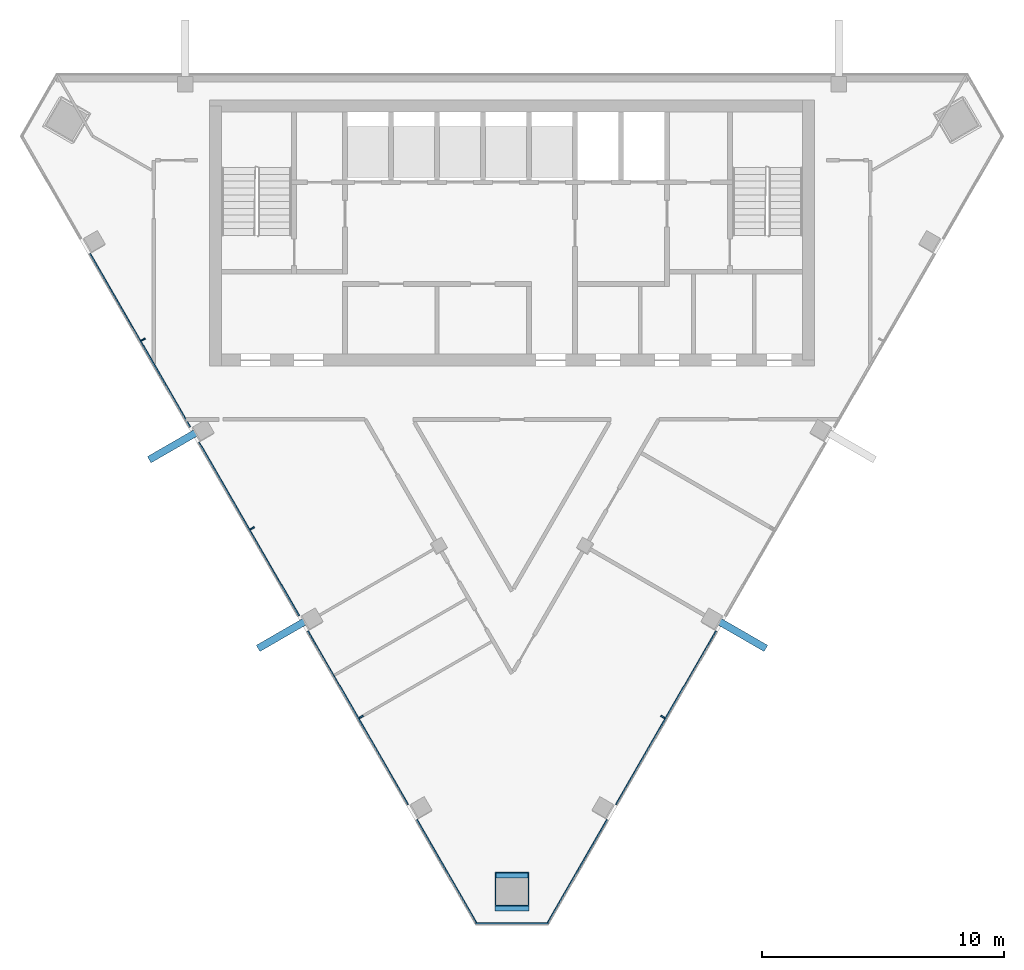
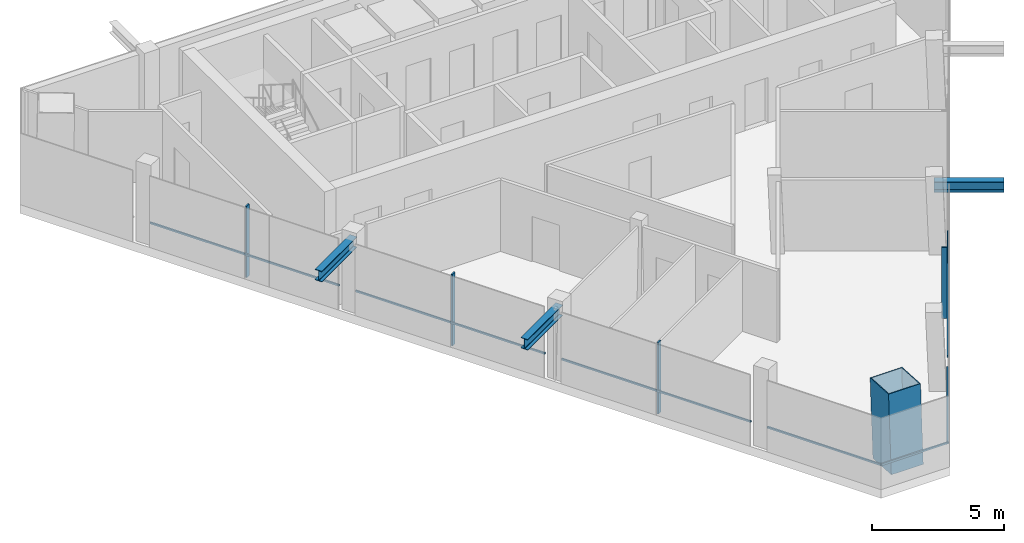
# One storey, part 2 of 9: 15 members, 3 elements without a shape of their own.
"""IFC4 building model written with IfcOpenShell, lengths in metres."""

from ifc_helpers import new_model, si_unit, direction, frame, origin, origin_2d, place, context, subcontext, project, spatial, rectangle, hollow_rectangle, i_section, extrude, material, layer, layer_set, material_profile, profile_set, type_object, element, aggregate, save


model = new_model("IFC4")

# Units and contexts
model_context = context("Model", 3, precision=1e-05, world=origin(), true_north=direction((0.0, 1.0)))
body_context = subcontext(model_context, "Body", "Model", "MODEL_VIEW")
ifc_project = project(units=[si_unit("LENGTHUNIT", "METRE"), si_unit("AREAUNIT", "SQUARE_METRE"), si_unit("VOLUMEUNIT", "CUBIC_METRE"), si_unit("PLANEANGLEUNIT", "RADIAN"), si_unit("MASSUNIT", "GRAM", prefix="KILO")], contexts=[model_context])

# Site, building, storey
site_placement = place(None, origin())
site = spatial("IfcSite", under=ifc_project, at=site_placement, CompositionType="ELEMENT")
building_placement = place(site_placement, origin())
building = spatial("IfcBuilding", under=site, at=building_placement, Name="Altiplano Prism Tower", CompositionType="ELEMENT")
storey_placement = place(building_placement, frame((0.0, 0.0, 354.39990234375)))
storey = spatial("IfcBuildingStorey", under=building, at=storey_placement, Name="L92", CompositionType="ELEMENT", Elevation=354.39990234375)

# Members
ifc_material_1 = material(Name="Steel S355", Category="steel")
ifc_material_profile_1 = material_profile(ifc_material_1, i_section(OverallWidth=0.300048828125, OverallDepth=0.5, WebThickness=0.014404296875, FlangeThickness=0.028076171875, FilletRadius=0.027099609375, at=origin_2d()), Name="Brace bracket HEB 500")
ifc_profile_set_1 = profile_set([ifc_material_profile_1], Name="Steel S355")
member_type_1 = type_object("IfcMemberType", Name="Brace bracket HEB 500", PredefinedType="STRUT", material=ifc_profile_set_1)
for number, where, z_axis, x_axis, name in (
    (1, (72.307861328125, 90.360595703125, 2.9501953125), (-0.866052124492, -0.499953715521, 0.0), (0.499953715521, -0.866052124492, 0.0), "Brace bracket 1.358"),
    (2, (76.807861328125, 82.56640625, 2.9501953125), (-0.866052124492, -0.499953715521, 0.0), (0.499953715521, -0.866052124492, 0.0), "Brace bracket 1.358"),
    (3, (93.192138671875, 82.56640625, 2.9501953125), (0.866052124492, -0.499953715521, 0.0), (0.499953715521, 0.866052124492, 0.0), "Brace bracket 2.358"),
):
    element("IfcMember", number, at=place(storey_placement, frame(where, z_axis=z_axis, x_axis=x_axis)), inside=storey, type_object=member_type_1, Name=name, PredefinedType="STRUT", context=body_context, shape_type="SweptSolid", body=[
        extrude(i_section(OverallWidth=0.300048828125, OverallDepth=0.5, WebThickness=0.014404296875, FlangeThickness=0.028076171875, FilletRadius=0.027099609375, at=origin_2d()), origin(), (0.0, 0.0, 1.0), 2.650146484375),
    ])

# Curtain wall, members
ifc_material_2 = material(Name="Aluminium and glass", Category="aluminium")
ifc_layer = layer(ifc_material_2, 0.303955078125)
ifc_layer_set = layer_set([ifc_layer], Name="Aluminium and glass")
curtain_wall_type = type_object("IfcCurtainWallType", Name="CW2 lounge-band unitised glazing", PredefinedType="NOTDEFINED", material=ifc_layer_set)
curtain_wall_1_placement = place(storey_placement, origin())
curtain_wall_1 = element("IfcCurtainWall", 4, at=curtain_wall_1_placement, inside=storey, type_object=curtain_wall_type, Name="CW2 curtain wall south-west face L92", PredefinedType="NOTDEFINED")
ifc_material_3 = material(Name="Aluminium", Category="aluminium")
ifc_material_profile_2 = material_profile(ifc_material_3, rectangle(XDim=0.199951171875, YDim=0.06005859375, at=origin_2d()), Name="CW2 mullion 60 x 200")
ifc_profile_set_2 = profile_set([ifc_material_profile_2], Name="Aluminium")
member_type_2 = type_object("IfcMemberType", Name="CW2 mullion 60 x 200", PredefinedType="MULLION", material=ifc_profile_set_2)
member_1_placement = place(storey_placement, frame((69.7646484375, 93.996337890625, 0.0), z_axis=(0.0, 0.0, 1.0), x_axis=(0.86602540861, 0.499999991641, 0.0)))
member_1 = element("IfcMember", 5, at=member_1_placement, type_object=member_type_2, Name="CW2 mullion", PredefinedType="MULLION", context=body_context, shape_type="SweptSolid", body=[
    extrude(rectangle(XDim=0.199951171875, YDim=0.06005859375, at=origin_2d()), origin(), (0.0, 0.0, 1.0), 3.300048828125),
])
member_2_placement = place(storey_placement, frame((74.2646484375, 86.201904296875, 0.0), z_axis=(0.0, 0.0, 1.0), x_axis=(0.86602540861, 0.499999991641, 0.0)))
member_2 = element("IfcMember", 6, at=member_2_placement, type_object=member_type_2, Name="CW2 mullion", PredefinedType="MULLION", context=body_context, shape_type="SweptSolid", body=[
    extrude(rectangle(XDim=0.199951171875, YDim=0.06005859375, at=origin_2d()), origin(), (0.0, 0.0, 1.0), 3.300048828125),
])
member_3_placement = place(storey_placement, frame((78.7646484375, 78.40771484375, 0.0), z_axis=(0.0, 0.0, 1.0), x_axis=(0.86602540861, 0.499999991641, 0.0)))
member_3 = element("IfcMember", 7, at=member_3_placement, type_object=member_type_2, Name="CW2 mullion", PredefinedType="MULLION", context=body_context, shape_type="SweptSolid", body=[
    extrude(rectangle(XDim=0.199951171875, YDim=0.06005859375, at=origin_2d()), origin(), (0.0, 0.0, 1.0), 3.300048828125),
])

# Curtain wall, member
curtain_wall_2_placement = place(storey_placement, origin())
curtain_wall_2 = element("IfcCurtainWall", 8, at=curtain_wall_2_placement, inside=storey, type_object=curtain_wall_type, Name="CW2 curtain wall south-east face L92", PredefinedType="NOTDEFINED")
member_4_placement = place(storey_placement, frame((91.2353515625, 78.40771484375, 0.0), z_axis=(0.0, 0.0, 1.0), x_axis=(-0.86602540861, 0.499999991641, 0.0)))
member_4 = element("IfcMember", 9, at=member_4_placement, type_object=member_type_2, Name="CW2 mullion", PredefinedType="MULLION", context=body_context, shape_type="SweptSolid", body=[
    extrude(rectangle(XDim=0.199951171875, YDim=0.06005859375, at=origin_2d()), origin(), (0.0, 0.0, 1.0), 3.300048828125),
])

# Member
ifc_material_profile_3 = material_profile(ifc_material_3, rectangle(XDim=0.06005859375, YDim=0.080078125, at=origin_2d()), Name="CW2 transom 80 x 60")
ifc_profile_set_3 = profile_set([ifc_material_profile_3], Name="Aluminium")
member_type_3 = type_object("IfcMemberType", Name="CW2 transom 80 x 60", PredefinedType="USERDEFINED", material=ifc_profile_set_3)
member_5_placement = place(storey_placement, frame((67.56494140625, 97.54638671875, 1.10009765625), z_axis=(0.50000951748, -0.866019908795, 0.0), x_axis=(0.866019908795, 0.50000951748, 0.0)))
member_5 = element("IfcMember", 10, at=member_5_placement, type_object=member_type_3, Name="CW2 transom", ObjectType="TRANSOM", PredefinedType="USERDEFINED", context=body_context, shape_type="SweptSolid", body=[
    extrude(rectangle(XDim=0.06005859375, YDim=0.080078125, at=origin_2d()), origin(), (0.0, 0.0, 1.0), 8.269775390625),
])

member_6_placement = place(storey_placement, frame((72.06494140625, 89.752197265625, 1.10009765625), z_axis=(0.50000951748, -0.866019908795, 0.0), x_axis=(0.866019908795, 0.50000951748, 0.0)))
member_6 = element("IfcMember", 11, at=member_6_placement, type_object=member_type_3, Name="CW2 transom", ObjectType="TRANSOM", PredefinedType="USERDEFINED", context=body_context, shape_type="SweptSolid", body=[
    extrude(rectangle(XDim=0.06005859375, YDim=0.080078125, at=origin_2d()), origin(), (0.0, 0.0, 1.0), 8.269775390625),
])

member_7_placement = place(storey_placement, frame((76.56494140625, 81.9580078125, 1.10009765625), z_axis=(0.50000951748, -0.866019908795, 0.0), x_axis=(0.866019908795, 0.50000951748, 0.0)))
member_7 = element("IfcMember", 12, at=member_7_placement, type_object=member_type_3, Name="CW2 transom", ObjectType="TRANSOM", PredefinedType="USERDEFINED", context=body_context, shape_type="SweptSolid", body=[
    extrude(rectangle(XDim=0.06005859375, YDim=0.080078125, at=origin_2d()), origin(), (0.0, 0.0, 1.0), 8.269775390625),
])

member_8_placement = place(storey_placement, frame((81.06494140625, 74.163818359375, 1.10009765625), z_axis=(0.499963453904, -0.866046502655, 0.0), x_axis=(0.866046502655, 0.499963453904, 0.0)))
member_8 = element("IfcMember", 13, at=member_8_placement, type_object=member_type_3, Name="CW2 transom", ObjectType="TRANSOM", PredefinedType="USERDEFINED", context=body_context, shape_type="SweptSolid", body=[
    extrude(rectangle(XDim=0.06005859375, YDim=0.080078125, at=origin_2d()), origin(), (0.0, 0.0, 1.0), 4.998291015625),
])

aggregate(curtain_wall_1, [member_1, member_5, member_2, member_6, member_3, member_7, member_8])

# Curtain wall, member
curtain_wall_3_placement = place(storey_placement, origin())
curtain_wall_3 = element("IfcCurtainWall", 14, at=curtain_wall_3_placement, inside=storey, type_object=curtain_wall_type, Name="CW2 curtain wall south chamfer L92", PredefinedType="NOTDEFINED")
member_9_placement = place(storey_placement, frame((83.5, 69.8720703125, 1.10009765625), z_axis=(1.0, 0.0, 0.0), x_axis=(0.0, 1.0, 0.0)))
member_9 = element("IfcMember", 15, at=member_9_placement, type_object=member_type_3, Name="CW2 transom", ObjectType="TRANSOM", PredefinedType="USERDEFINED", context=body_context, shape_type="SweptSolid", body=[
    extrude(rectangle(XDim=0.06005859375, YDim=0.080078125, at=origin_2d()), origin(), (0.0, 0.0, 1.0), 3.0),
])
aggregate(curtain_wall_3, [member_9])

# Member
member_10_placement = place(storey_placement, frame((86.43603515625, 69.8349609375, 1.10009765625), z_axis=(0.499963453904, 0.866046502655, 0.0), x_axis=(-0.866046502655, 0.499963453904, 0.0)))
member_10 = element("IfcMember", 16, at=member_10_placement, type_object=member_type_3, Name="CW2 transom", ObjectType="TRANSOM", PredefinedType="USERDEFINED", context=body_context, shape_type="SweptSolid", body=[
    extrude(rectangle(XDim=0.06005859375, YDim=0.080078125, at=origin_2d()), origin(), (0.0, 0.0, 1.0), 4.998291015625),
])

member_11_placement = place(storey_placement, frame((89.300048828125, 74.796142578125, 1.10009765625), z_axis=(0.50000951748, 0.866019908795, 0.0), x_axis=(-0.866019908795, 0.50000951748, 0.0)))
member_11 = element("IfcMember", 17, at=member_11_placement, type_object=member_type_3, Name="CW2 transom", ObjectType="TRANSOM", PredefinedType="USERDEFINED", context=body_context, shape_type="SweptSolid", body=[
    extrude(rectangle(XDim=0.06005859375, YDim=0.080078125, at=origin_2d()), origin(), (0.0, 0.0, 1.0), 8.269775390625),
])

aggregate(curtain_wall_2, [member_10, member_4, member_11])

ifc_material_4 = material(Name="Steel S460", Category="steel")
ifc_material_profile_4 = material_profile(ifc_material_4, hollow_rectangle(XDim=1.39990234375, YDim=1.39990234375, WallThickness=0.0400390625, at=origin_2d()), Name="Mega column tube 1400")
ifc_profile_set_4 = profile_set([ifc_material_profile_4], Name="Steel S460")
member_type_4 = type_object("IfcMemberType", Name="Mega column tube 1400", PredefinedType="POST", material=ifc_profile_set_4)
member_12_placement = place(storey_placement, frame((85.0, 71.09814453125, 0.0), z_axis=(0.0, 0.058356907999, 0.998295783467), x_axis=(-1.0, 0.0, 0.0)))
element("IfcMember", 18, at=member_12_placement, inside=storey, type_object=member_type_4, Name="Mega column tube M1 L92", PredefinedType="POST", context=body_context, shape_type="SweptSolid", body=[
    extrude(hollow_rectangle(XDim=1.39990234375, YDim=1.39990234375, WallThickness=0.0400390625, at=origin_2d()), origin(), (0.0, 0.0, 1.0), 3.606201171875),
])

save(model, "model.ifc")
